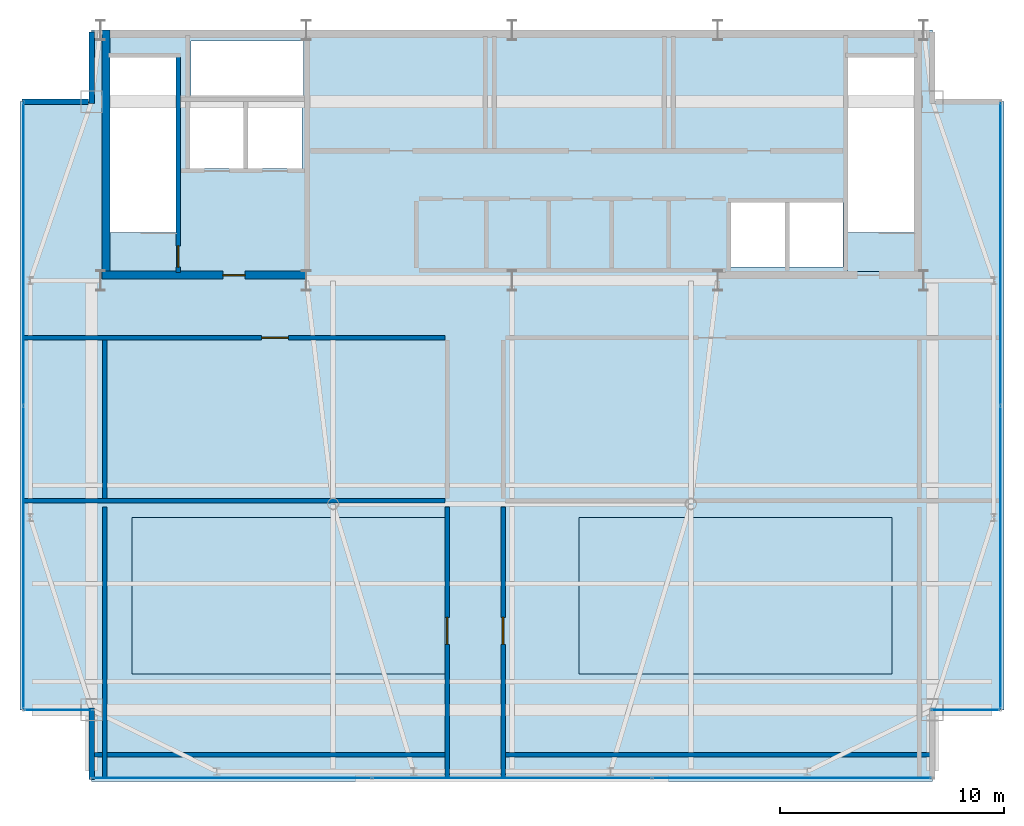
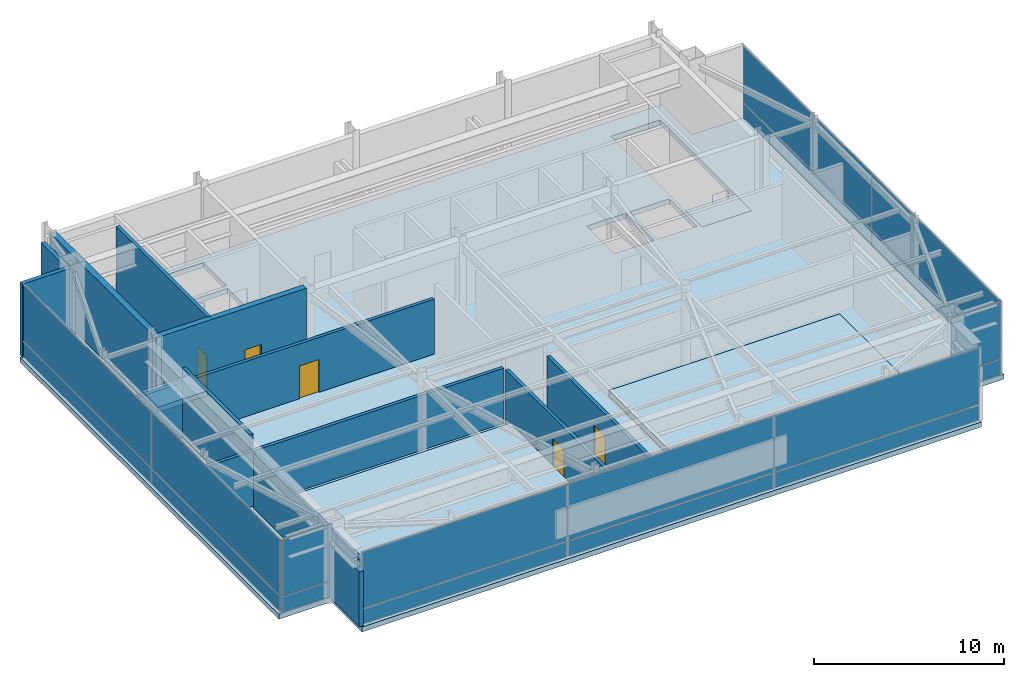
# One storey, part 18 of 20: 18 plates, 14 walls, 5 doors, 5 slabs, 5 openings, 5 elements without a shape of their own.
"""IFC4 building model written with IfcOpenShell, lengths in metres."""

import ifcopenshell
import ifcopenshell.guid

model = None  # the IFC model being written
_history = None  # IfcOwnerHistory: only IFC2X3 demands one
_inside = {}  # id of a spatial element -> (the spatial element, [elements in it])
_under = {}  # id of a project, library or spatial element -> (it, [spatial elements below it])
_declared = {}  # id of a project -> (the project, [libraries it declares])
_typed = {}  # id of a type object -> (the type object, [elements of that type])
_made_of = {}  # id of a material, layer set ... -> (it, [elements and type objects made of it])


def new_model(schema):
    """Start an empty IFC model of exactly this schema.

    Asked for "IFC4X3", IfcOpenShell would pick the latest addendum, in which some entities
    have other attributes; the version numbers below select the first issue.
    IFC2X3 requires an IfcOwnerHistory on every rooted entity: one is made here for all.
    """
    global model, _history
    if schema == "IFC4X3":
        model = ifcopenshell.file(schema_version=(4, 3, 0, 0))
    else:
        model = ifcopenshell.file(schema=schema)
    _inside.clear()
    _under.clear()
    _declared.clear()
    _typed.clear()
    _made_of.clear()
    _history = None
    if model.schema == "IFC2X3":
        org = make("IfcOrganization", Name="unknown")
        user = make(
            "IfcPersonAndOrganization",
            ThePerson=make("IfcPerson", FamilyName="unknown"),
            TheOrganization=org,
        )
        app = make(
            "IfcApplication",
            ApplicationDeveloper=org,
            Version="unknown",
            ApplicationFullName="unknown",
            ApplicationIdentifier="unknown",
        )
        _history = make(
            "IfcOwnerHistory",
            OwningUser=user,
            OwningApplication=app,
            ChangeAction="ADDED",
            CreationDate=0,
        )
    return model


def make(cls, **values):
    """One entity of the class cls with the attributes given. An attribute that is None is left unset."""
    return model.create_entity(
        cls, **{name: value for name, value in values.items() if value is not None}
    )


def rooted(cls, **values):
    """An entity with a GlobalId (a new one), such as an element, a storey or a relation."""
    return make(cls, GlobalId=ifcopenshell.guid.new(), OwnerHistory=_history, **values)


def si_unit(unit_type, name, prefix=None):
    """IfcSIUnit, for example si_unit("LENGTHUNIT", "METRE", prefix="MILLI")."""
    return make("IfcSIUnit", UnitType=unit_type, Prefix=prefix, Name=name)


def assignment(units):
    """IfcUnitAssignment: the units of a project."""
    return None if units is None else make("IfcUnitAssignment", Units=units)


def point(xyz):
    """IfcCartesianPoint."""
    return None if xyz is None else make("IfcCartesianPoint", Coordinates=xyz)


def direction(xyz):
    """IfcDirection."""
    return None if xyz is None else make("IfcDirection", DirectionRatios=xyz)


def frame(location, z_axis=None, x_axis=None):
    """IfcAxis2Placement3D, a coordinate frame: its origin and axes. An axis left out is left unset."""
    return make(
        "IfcAxis2Placement3D",
        Location=point(location),
        Axis=direction(z_axis),
        RefDirection=direction(x_axis),
    )


def frame_2d(location, x_axis=None):
    """IfcAxis2Placement2D, a coordinate frame in the plane: its origin and x axis."""
    return make(
        "IfcAxis2Placement2D", Location=point(location), RefDirection=direction(x_axis)
    )


def origin():
    """The frame at (0, 0, 0) with its axes left unset."""
    return frame((0.0, 0.0, 0.0))


def origin_2d():
    """The frame at (0, 0) in the plane with its x axis left unset."""
    return frame_2d((0.0, 0.0))


def place(relative_to, where):
    """IfcLocalPlacement: puts the frame where relative to a parent placement (None: the world)."""
    return make(
        "IfcLocalPlacement", PlacementRelTo=relative_to, RelativePlacement=where
    )


def context(
    kind, dimensions, precision=None, world=None, true_north=None, identifier=None
):
    """IfcGeometricRepresentationContext, for example the 3D "Model" context."""
    return make(
        "IfcGeometricRepresentationContext",
        ContextIdentifier=identifier,
        ContextType=kind,
        CoordinateSpaceDimension=dimensions,
        Precision=precision,
        WorldCoordinateSystem=world,
        TrueNorth=true_north,
    )


def subcontext(parent, identifier, kind, view, scale=None):
    """IfcGeometricRepresentationSubContext, for example "Body" below "Model"."""
    return make(
        "IfcGeometricRepresentationSubContext",
        ContextIdentifier=identifier,
        ContextType=kind,
        ParentContext=parent,
        TargetScale=scale,
        TargetView=view,
    )


def project(units=None, contexts=None):
    """IfcProject with its units and contexts."""
    return rooted(
        "IfcProject",
        Name="project",
        RepresentationContexts=contexts,
        UnitsInContext=assignment(units),
    )


def spatial(cls, under=None, at=None, **own):
    """A site, building, storey or space (cls), placed at a placement, below another one or the project."""
    s = rooted(cls, ObjectPlacement=at, **own)
    if under is not None:
        _under.setdefault(under.id(), (under, []))[1].append(s)
    return s


def polyline(points):
    """IfcPolyline through the points."""
    return make("IfcPolyline", Points=[point(p) for p in points])


def profile(cls, at=None, kind="AREA", **sizes):
    """A parametric profile (cls). Its sizes go by their IFC names, for example OverallWidth=200.0."""
    return make(cls, ProfileType=kind, Position=at, **sizes)


def rectangle(**sizes):
    """IfcRectangleProfileDef."""
    return profile("IfcRectangleProfileDef", **sizes)


def outline(outer, holes=None, kind="AREA"):
    """IfcArbitraryClosedProfileDef: a profile drawn as a closed curve; with holes, ...WithVoids."""
    if holes is None:
        return make("IfcArbitraryClosedProfileDef", ProfileType=kind, OuterCurve=outer)
    return make(
        "IfcArbitraryProfileDefWithVoids",
        ProfileType=kind,
        OuterCurve=outer,
        InnerCurves=holes,
    )


def extrude(swept, where, along, depth):
    """IfcExtrudedAreaSolid: the profile swept, set in the frame where, extruded along a direction by depth."""
    return make(
        "IfcExtrudedAreaSolid",
        SweptArea=swept,
        Position=where,
        ExtrudedDirection=direction(along),
        Depth=depth,
    )


def shape(context_of_items, identifier, shape_type, items):
    """IfcShapeRepresentation: the items that make up one representation, for example the "Body"."""
    return make(
        "IfcShapeRepresentation",
        ContextOfItems=context_of_items,
        RepresentationIdentifier=identifier,
        RepresentationType=shape_type,
        Items=items,
    )


def source(mapping_origin, context_of_items, identifier, shape_type, items):
    """IfcRepresentationMap: a shape defined once, which mapped items show again and again."""
    return make(
        "IfcRepresentationMap",
        MappingOrigin=mapping_origin,
        MappedRepresentation=shape(context_of_items, identifier, shape_type, items),
    )


def transform(
    local_origin,
    x_axis=None,
    y_axis=None,
    z_axis=None,
    scale=None,
    scale2=None,
    scale3=None,
    uniform=True,
):
    """IfcCartesianTransformationOperator3D, or its non-uniform kind. x_axis, y_axis, z_axis: its Axis1, 2, 3."""
    if uniform:
        return make(
            "IfcCartesianTransformationOperator3D",
            Axis1=direction(x_axis),
            Axis2=direction(y_axis),
            LocalOrigin=point(local_origin),
            Scale=scale,
            Axis3=direction(z_axis),
        )
    return make(
        "IfcCartesianTransformationOperator3DnonUniform",
        Axis1=direction(x_axis),
        Axis2=direction(y_axis),
        LocalOrigin=point(local_origin),
        Scale=scale,
        Axis3=direction(z_axis),
        Scale2=scale2,
        Scale3=scale3,
    )


def mapped(mapping_source, mapping_target):
    """IfcMappedItem: shows the shape of a source again, moved by a transform."""
    return make(
        "IfcMappedItem", MappingSource=mapping_source, MappingTarget=mapping_target
    )


def material(Name=None, Category=None):
    """IfcMaterial."""
    return make("IfcMaterial", Name=Name, Category=Category)


def layer(
    of_material, thickness, ventilated=None, Name=None, Category=None, Priority=None
):
    """IfcMaterialLayer: one layer of a wall or slab, of a material (None: an air gap)."""
    return make(
        "IfcMaterialLayer",
        Material=of_material,
        LayerThickness=thickness,
        IsVentilated=ventilated,
        Name=Name,
        Category=Category,
        Priority=Priority,
    )


def layer_set(layers, Name=None):
    """IfcMaterialLayerSet."""
    return make("IfcMaterialLayerSet", MaterialLayers=layers, LayerSetName=Name)


def made_of(thing, what):
    """Note that an element or type object is made of a material, layer set ...; save() writes the relation."""
    if what is not None:
        _made_of.setdefault(what.id(), (what, []))[1].append(thing)
    return thing


def type_object(cls, material=None, **own):
    """A type object (cls), such as IfcWallType, which elements share."""
    return made_of(rooted(cls, **own), material)


def type_shapes(of_type, sources):
    """Give a type object the sources (RepresentationMaps) that its elements show as mapped items."""
    of_type.RepresentationMaps = sources


def element(
    cls,
    number,
    at=None,
    inside=None,
    cuts=None,
    type_object=None,
    material=None,
    context=None,
    identifier="Body",
    shape_type=None,
    held_by="IfcProductDefinitionShape",
    body=None,
    shapes=None,
    **own,
):
    """One element of the class cls, such as IfcWall. Its Tag is "e" and its number.

    at: its placement. inside: the storey or other place that contains it. cuts: it is an
    opening in that element (IfcRelVoidsElement). A single representation is given by context,
    identifier, shape_type and body (its items); several are given by shapes. held_by: the class
    of the entity that holds the representations. save() writes the other relations.
    """
    e = rooted(cls, Tag="e%d" % number, ObjectPlacement=at, **own)
    if body is not None:
        shapes = [shape(context, identifier, shape_type, body)]
    if shapes is not None:
        e.Representation = make(held_by, Representations=shapes)
    if inside is not None:
        _inside.setdefault(inside.id(), (inside, []))[1].append(e)
    if cuts is not None:
        rooted(
            "IfcRelVoidsElement", RelatingBuildingElement=cuts, RelatedOpeningElement=e
        )
    if type_object is not None:
        _typed.setdefault(type_object.id(), (type_object, []))[1].append(e)
    return made_of(e, material)


def fill(opening, filler):
    """IfcRelFillsElement: the door or window that sits in an opening."""
    return rooted(
        "IfcRelFillsElement",
        RelatingOpeningElement=opening,
        RelatedBuildingElement=filler,
    )


def aggregate(whole, parts):
    """IfcRelAggregates: a whole, such as a stair, and the parts it consists of."""
    return rooted("IfcRelAggregates", RelatingObject=whole, RelatedObjects=parts)


def save(model, path):
    """Write the relations noted so far, then the file.

    IfcRelAggregates (storeys below a building ...), IfcRelContainedInSpatialStructure (elements
    in a storey), IfcRelDefinesByType, IfcRelAssociatesMaterial and IfcRelDeclares: one each for
    every whole, place, type object, material and project.
    """
    for whole, parts in _under.values():
        aggregate(whole, parts)
    for where, things in _inside.values():
        rooted(
            "IfcRelContainedInSpatialStructure",
            RelatedElements=things,
            RelatingStructure=where,
        )
    for kind, things in _typed.values():
        rooted("IfcRelDefinesByType", RelatedObjects=things, RelatingType=kind)
    for what, things in _made_of.values():
        rooted("IfcRelAssociatesMaterial", RelatedObjects=things, RelatingMaterial=what)
    for by, libraries in _declared.values():
        rooted("IfcRelDeclares", RelatingContext=by, RelatedDefinitions=libraries)
    model.write(path)


model = new_model("IFC4")

# Units and contexts
model_context = context("Model", 3, precision=1e-05, world=origin(), true_north=direction((0.0, 1.0)))
body_context = subcontext(model_context, "Body", "Model", "MODEL_VIEW")
ifc_project = project(units=[si_unit("LENGTHUNIT", "METRE"), si_unit("AREAUNIT", "SQUARE_METRE"), si_unit("VOLUMEUNIT", "CUBIC_METRE"), si_unit("PLANEANGLEUNIT", "RADIAN"), si_unit("MASSUNIT", "GRAM", prefix="KILO")], contexts=[model_context])

# Site, building, storey
site_placement = place(None, origin())
site = spatial("IfcSite", under=ifc_project, at=site_placement, CompositionType="ELEMENT")
building_placement = place(site_placement, origin())
building = spatial("IfcBuilding", under=site, at=building_placement, Name="Varnel Quay Broadcast Tower", CompositionType="ELEMENT")
storey_placement = place(building_placement, frame((0.0, 0.0, 314.60009765625)))
storey = spatial("IfcBuildingStorey", under=building, at=storey_placement, Name="L78", CompositionType="ELEMENT", Elevation=314.60009765625)

# Slabs
ifc_material_1 = material(Name="Concrete CSA A23.3 C50/60", Category="concrete")
ifc_layer_1 = layer(ifc_material_1, 0.320068359375, Name="Concrete CSA A23.3 C50/60")
ifc_layer_set_1 = layer_set([ifc_layer_1], Name="Concrete CSA A23.3 C50/60")
slab_type_1 = type_object("IfcSlabType", Name="Slab_Floor320", PredefinedType="FLOOR", material=ifc_layer_set_1)
slab_1_placement = place(storey_placement, frame((0.0, 0.0, -0.320068359375)))
element("IfcSlab", 1, at=slab_1_placement, inside=storey, type_object=slab_type_1, Name="L78 Structural Slab", PredefinedType="FLOOR", context=body_context, shape_type="SweptSolid", body=[
    extrude(outline(polyline([(15.199951171875, 13.199951171875), (52.800048828125, 13.199951171875), (52.800048828125, 16.39990234375), (56.0, 16.39990234375), (56.0, 43.60009765625), (52.800048828125, 43.60009765625), (52.800048828125, 46.800048828125), (15.199951171875, 46.800048828125), (15.199951171875, 43.60009765625), (12.0, 43.60009765625), (12.0, 16.39990234375), (15.199951171875, 16.39990234375), (15.199951171875, 13.199951171875)]), holes=[polyline([(46.199951171875, 36.199951171875), (43.800048828125, 36.199951171875), (43.800048828125, 39.10009765625), (46.199951171875, 39.10009765625), (46.199951171875, 36.199951171875)]), polyline([(46.39990234375, 36.199951171875), (46.39990234375, 39.10009765625), (48.800048828125, 39.10009765625), (48.800048828125, 36.199951171875), (46.39990234375, 36.199951171875)]), polyline([(19.0, 36.0), (16.0, 36.0), (16.0, 45.60009765625), (19.0, 45.60009765625), (19.0, 36.0)]), polyline([(52.0, 36.0), (49.0, 36.0), (49.0, 45.60009765625), (52.0, 45.60009765625), (52.0, 36.0)]), polyline([(19.60009765625, 40.60009765625), (19.60009765625, 43.60009765625), (22.0, 43.60009765625), (22.0, 40.60009765625), (19.60009765625, 40.60009765625)]), polyline([(22.199951171875, 40.60009765625), (22.199951171875, 43.60009765625), (24.60009765625, 43.60009765625), (24.60009765625, 40.60009765625), (22.199951171875, 40.60009765625)]), polyline([(19.64990234375, 43.85009765625), (19.64990234375, 46.300048828125), (24.679931640625, 46.300048828125), (24.679931640625, 43.85009765625), (19.64990234375, 43.85009765625)])]), origin(), (0.0, 0.0, 1.0), 0.320068359375),
])
ifc_layer_2 = layer(ifc_material_1, 0.39990234375, Name="Concrete CSA A23.3 C50/60")
ifc_layer_set_2 = layer_set([ifc_layer_2], Name="Concrete CSA A23.3 C50/60")
slab_type_2 = type_object("IfcSlabType", Name="Slab_Plinth400", PredefinedType="FLOOR", material=ifc_layer_set_2)
slab_2_placement = place(storey_placement, origin())
element("IfcSlab", 2, at=slab_2_placement, inside=storey, type_object=slab_type_2, Name="Crown Broadcast Transmitter Array Plinth", PredefinedType="FLOOR", context=body_context, shape_type="SweptSolid", body=[
    extrude(outline(polyline([(17.0, 18.0), (31.0, 18.0), (31.0, 25.0), (17.0, 25.0), (17.0, 18.0)])), origin(), (0.0, 0.0, 1.0), 0.39990234375),
])
slab_3_placement = place(storey_placement, origin())
element("IfcSlab", 3, at=slab_3_placement, inside=storey, type_object=slab_type_2, Name="Crown Heat-Recovery Chiller Plinth", PredefinedType="FLOOR", context=body_context, shape_type="SweptSolid", body=[
    extrude(outline(polyline([(37.0, 18.0), (51.0, 18.0), (51.0, 25.0), (37.0, 25.0), (37.0, 18.0)])), origin(), (0.0, 0.0, 1.0), 0.39990234375),
])
ifc_layer_3 = layer(ifc_material_1, 0.25, Name="Concrete CSA A23.3 C50/60")
ifc_layer_set_3 = layer_set([ifc_layer_3], Name="Concrete CSA A23.3 C50/60")
slab_type_3 = type_object("IfcSlabType", Name="Slab_StairFloorLanding250", PredefinedType="FLOOR", material=ifc_layer_set_3)
slab_4_placement = place(storey_placement, frame((0.0, 0.0, -0.320068359375)))
element("IfcSlab", 4, at=slab_4_placement, inside=storey, type_object=slab_type_3, Name="L78 ST-01 Structural Floor Landing Slab", PredefinedType="FLOOR", context=body_context, shape_type="SweptSolid", body=[
    extrude(outline(polyline([(19.0, 36.0), (19.0, 37.75), (16.0, 37.75), (16.0, 36.0), (19.0, 36.0)])), origin(), (0.0, 0.0, 1.0), 0.320068359375),
])
slab_5_placement = place(storey_placement, frame((0.0, 0.0, -0.320068359375)))
element("IfcSlab", 5, at=slab_5_placement, inside=storey, type_object=slab_type_3, Name="L78 ST-02 Structural Floor Landing Slab", PredefinedType="FLOOR", context=body_context, shape_type="SweptSolid", body=[
    extrude(outline(polyline([(52.0, 36.0), (52.0, 37.75), (49.0, 37.75), (49.0, 36.0), (52.0, 36.0)])), origin(), (0.0, 0.0, 1.0), 0.320068359375),
])

# Curtain wall, plate
ifc_material_2 = material(Name="Anodised Bronze Aluminium 6063-T6", Category="aluminium")
ifc_layer_4 = layer(ifc_material_2, 0.18994140625, Name="Anodised Bronze Aluminium 6063-T6")
ifc_layer_set_4 = layer_set([ifc_layer_4], Name="Anodised Bronze Aluminium 6063-T6")
curtain_wall_type_1 = type_object("IfcCurtainWallType", Name="CW_NotchCorner", PredefinedType="NOTDEFINED", material=ifc_layer_set_4)
curtain_wall_1_placement = place(storey_placement, origin())
curtain_wall_1 = element("IfcCurtainWall", 6, at=curtain_wall_1_placement, inside=storey, type_object=curtain_wall_type_1, Name="L78 SW Notch Curtain Wall", PredefinedType="NOTDEFINED")
ifc_material_3 = material(Name="Triple-Glazed Bronze Low-E Architectural Glass", Category="glass")
ifc_layer_5 = layer(ifc_material_3, 0.028076171875, Name="Triple-Glazed Bronze Low-E Architectural Glass")
ifc_layer_set_5 = layer_set([ifc_layer_5], Name="Triple-Glazed Bronze Low-E Architectural Glass")
plate_type_1 = type_object("IfcPlateType", Name="Panel_CWS-04", PredefinedType="CURTAIN_PANEL", material=ifc_layer_set_5)
shared_shape_1 = source(origin(), body_context, "Body", "SweptSolid", [
    extrude(rectangle(XDim=3.010009765625, YDim=0.028076171875, at=origin_2d()), origin(), (0.0, 0.0, 1.0), 0.967529296875),
])
plate_1_placement = place(storey_placement, frame((13.715087890625, 16.39990234375, 0.0546875), z_axis=(0.0, 0.0, 1.0), x_axis=(1.0, 0.0, 0.0)))
plate_1 = element("IfcPlate", 7, at=plate_1_placement, type_object=plate_type_1, Name="CWS-04 panel 1.1", PredefinedType="CURTAIN_PANEL", context=body_context, shape_type="MappedRepresentation", body=[
    mapped(shared_shape_1, transform((0.0, 0.0, 0.0), x_axis=(1.0, 0.0, 0.0), y_axis=(0.0, 1.0, 0.0), z_axis=(0.0, 0.0, 1.0), scale=1.0)),
])

curtain_wall_2_placement = place(storey_placement, origin())
curtain_wall_2 = element("IfcCurtainWall", 8, at=curtain_wall_2_placement, inside=storey, type_object=curtain_wall_type_1, Name="L78 SE Notch Curtain Wall", PredefinedType="NOTDEFINED")
plate_2_placement = place(storey_placement, frame((54.284912109375, 16.39990234375, 0.0546875), z_axis=(0.0, 0.0, 1.0), x_axis=(1.0, 0.0, 0.0)))
plate_2 = element("IfcPlate", 9, at=plate_2_placement, type_object=plate_type_1, Name="CWS-04 panel 1.1", PredefinedType="CURTAIN_PANEL", context=body_context, shape_type="MappedRepresentation", body=[
    mapped(shared_shape_1, transform((0.0, 0.0, 0.0), x_axis=(1.0, 0.0, 0.0), y_axis=(0.0, 1.0, 0.0), z_axis=(0.0, 0.0, 1.0), scale=1.0)),
])

# Curtain wall, plates
ifc_layer_6 = layer(ifc_material_2, 0.18994140625, Name="Anodised Bronze Aluminium 6063-T6")
ifc_layer_set_6 = layer_set([ifc_layer_6], Name="Anodised Bronze Aluminium 6063-T6")
curtain_wall_type_2 = type_object("IfcCurtainWallType", Name="CW_UpperTower", PredefinedType="NOTDEFINED", material=ifc_layer_set_6)
curtain_wall_3_placement = place(storey_placement, origin())
curtain_wall_3 = element("IfcCurtainWall", 10, at=curtain_wall_3_placement, inside=storey, type_object=curtain_wall_type_2, Name="L78 South Unitised Curtain Wall 1", PredefinedType="NOTDEFINED")
ifc_layer_7 = layer(ifc_material_3, 0.030029296875, Name="Triple-Glazed Bronze Low-E Architectural Glass")
ifc_layer_set_7 = layer_set([ifc_layer_7], Name="Triple-Glazed Bronze Low-E Architectural Glass")
plate_type_2 = type_object("IfcPlateType", Name="Panel_CWS-03", PredefinedType="CURTAIN_PANEL", material=ifc_layer_set_7)
shared_shape_2 = source(origin(), body_context, "Body", "SweptSolid", [
    extrude(rectangle(XDim=12.435791015625, YDim=0.030029296875, at=origin_2d()), origin(), (0.0, 0.0, 1.0), 0.9599609375),
])
plate_3_placement = place(storey_placement, frame((21.48291015625, 13.35009765625, 0.059814453125), z_axis=(0.0, 0.0, 1.0), x_axis=(1.0, 0.0, 0.0)))
plate_3 = element("IfcPlate", 11, at=plate_3_placement, type_object=plate_type_2, Name="CWS-03 panel 1.1", PredefinedType="CURTAIN_PANEL", context=body_context, shape_type="MappedRepresentation", body=[
    mapped(shared_shape_2, transform((0.0, 0.0, 0.0), x_axis=(1.0, 0.0, 0.0), y_axis=(0.0, 1.0, 0.0), z_axis=(0.0, 0.0, 1.0), scale=1.0)),
])
plate_4_placement = place(storey_placement, frame((46.51708984375, 13.35009765625, 0.059814453125), z_axis=(0.0, 0.0, 1.0), x_axis=(1.0, 0.0, 0.0)))
plate_4 = element("IfcPlate", 12, at=plate_4_placement, type_object=plate_type_2, Name="CWS-03 panel 3.1", PredefinedType="CURTAIN_PANEL", context=body_context, shape_type="MappedRepresentation", body=[
    mapped(shared_shape_2, transform((0.0, 0.0, 0.0), x_axis=(1.0, 0.0, 0.0), y_axis=(0.0, 1.0, 0.0), z_axis=(0.0, 0.0, 1.0), scale=1.0)),
])
shared_shape_3 = source(origin(), body_context, "Body", "SweptSolid", [
    extrude(rectangle(XDim=12.435791015625, YDim=0.030029296875, at=origin_2d()), origin(), (0.0, 0.0, 1.0), 3.610107421875),
])
plate_5_placement = place(storey_placement, frame((21.48291015625, 13.35009765625, 1.080078125), z_axis=(0.0, 0.0, 1.0), x_axis=(1.0, 0.0, 0.0)))
plate_5 = element("IfcPlate", 13, at=plate_5_placement, type_object=plate_type_2, Name="CWS-03 panel 1.2", PredefinedType="CURTAIN_PANEL", context=body_context, shape_type="MappedRepresentation", body=[
    mapped(shared_shape_3, transform((0.0, 0.0, 0.0), x_axis=(1.0, 0.0, 0.0), y_axis=(0.0, 1.0, 0.0), z_axis=(0.0, 0.0, 1.0), scale=1.0)),
])
plate_6_placement = place(storey_placement, frame((46.51708984375, 13.35009765625, 1.080078125), z_axis=(0.0, 0.0, 1.0), x_axis=(1.0, 0.0, 0.0)))
plate_6 = element("IfcPlate", 14, at=plate_6_placement, type_object=plate_type_2, Name="CWS-03 panel 3.2", PredefinedType="CURTAIN_PANEL", context=body_context, shape_type="MappedRepresentation", body=[
    mapped(shared_shape_3, transform((0.0, 0.0, 0.0), x_axis=(1.0, 0.0, 0.0), y_axis=(0.0, 1.0, 0.0), z_axis=(0.0, 0.0, 1.0), scale=1.0)),
])
shared_shape_4 = source(origin(), body_context, "Body", "SweptSolid", [
    extrude(rectangle(XDim=12.46826171875, YDim=0.030029296875, at=origin_2d()), origin(), (0.0, 0.0, 1.0), 0.9599609375),
])
plate_7_placement = place(storey_placement, frame((34.0, 13.35009765625, 0.059814453125), z_axis=(0.0, 0.0, 1.0), x_axis=(1.0, 0.0, 0.0)))
plate_7 = element("IfcPlate", 15, at=plate_7_placement, type_object=plate_type_2, Name="CWS-03 panel 2.1", PredefinedType="CURTAIN_PANEL", context=body_context, shape_type="MappedRepresentation", body=[
    mapped(shared_shape_4, transform((0.0, 0.0, 0.0), x_axis=(1.0, 0.0, 0.0), y_axis=(0.0, 1.0, 0.0), z_axis=(0.0, 0.0, 1.0), scale=1.0)),
])
shared_shape_5 = source(origin(), body_context, "Body", "SweptSolid", [
    extrude(rectangle(XDim=12.46826171875, YDim=0.030029296875, at=origin_2d()), origin(), (0.0, 0.0, 1.0), 3.610107421875),
])
plate_8_placement = place(storey_placement, frame((34.0, 13.35009765625, 1.080078125), z_axis=(0.0, 0.0, 1.0), x_axis=(1.0, 0.0, 0.0)))
plate_8 = element("IfcPlate", 16, at=plate_8_placement, type_object=plate_type_2, Name="CWS-03 panel 2.2", PredefinedType="CURTAIN_PANEL", context=body_context, shape_type="MappedRepresentation", body=[
    mapped(shared_shape_5, transform((0.0, 0.0, 0.0), x_axis=(1.0, 0.0, 0.0), y_axis=(0.0, 1.0, 0.0), z_axis=(0.0, 0.0, 1.0), scale=1.0)),
])
aggregate(curtain_wall_3, [plate_3, plate_5, plate_7, plate_8, plate_4, plate_6])

curtain_wall_4_placement = place(storey_placement, origin())
curtain_wall_4 = element("IfcCurtainWall", 17, at=curtain_wall_4_placement, inside=storey, type_object=curtain_wall_type_2, Name="L78 West Unitised Curtain Wall", PredefinedType="NOTDEFINED")
shared_shape_6 = source(origin(), body_context, "Body", "SweptSolid", [
    extrude(rectangle(XDim=13.50244140625, YDim=0.030029296875, at=origin_2d()), origin(), (0.0, 0.0, 1.0), 0.9599609375),
])
plate_9_placement = place(storey_placement, frame((12.14990234375, 23.21630859375, 0.059814453125), z_axis=(0.0, 0.0, 1.0), x_axis=(0.0, 1.0, 0.0)))
plate_9 = element("IfcPlate", 18, at=plate_9_placement, type_object=plate_type_2, Name="CWS-03 panel 1.1", PredefinedType="CURTAIN_PANEL", context=body_context, shape_type="MappedRepresentation", body=[
    mapped(shared_shape_6, transform((0.0, 0.0, 0.0), x_axis=(1.0, 0.0, 0.0), y_axis=(0.0, 1.0, 0.0), z_axis=(0.0, 0.0, 1.0), scale=1.0)),
])
plate_10_placement = place(storey_placement, frame((12.14990234375, 36.78369140625, 0.059814453125), z_axis=(0.0, 0.0, 1.0), x_axis=(0.0, 1.0, 0.0)))
plate_10 = element("IfcPlate", 19, at=plate_10_placement, type_object=plate_type_2, Name="CWS-03 panel 2.1", PredefinedType="CURTAIN_PANEL", context=body_context, shape_type="MappedRepresentation", body=[
    mapped(shared_shape_6, transform((0.0, 0.0, 0.0), x_axis=(1.0, 0.0, 0.0), y_axis=(0.0, 1.0, 0.0), z_axis=(0.0, 0.0, 1.0), scale=1.0)),
])

curtain_wall_5_placement = place(storey_placement, origin())
curtain_wall_5 = element("IfcCurtainWall", 20, at=curtain_wall_5_placement, inside=storey, type_object=curtain_wall_type_2, Name="L78 East Unitised Curtain Wall", PredefinedType="NOTDEFINED")
plate_11_placement = place(storey_placement, frame((55.85009765625, 23.21630859375, 0.059814453125), z_axis=(0.0, 0.0, 1.0), x_axis=(0.0, 1.0, 0.0)))
plate_11 = element("IfcPlate", 21, at=plate_11_placement, type_object=plate_type_2, Name="CWS-03 panel 1.1", PredefinedType="CURTAIN_PANEL", context=body_context, shape_type="MappedRepresentation", body=[
    mapped(shared_shape_6, transform((0.0, 0.0, 0.0), x_axis=(1.0, 0.0, 0.0), y_axis=(0.0, 1.0, 0.0), z_axis=(0.0, 0.0, 1.0), scale=1.0)),
])
plate_12_placement = place(storey_placement, frame((55.85009765625, 36.78369140625, 0.059814453125), z_axis=(0.0, 0.0, 1.0), x_axis=(0.0, 1.0, 0.0)))
plate_12 = element("IfcPlate", 22, at=plate_12_placement, type_object=plate_type_2, Name="CWS-03 panel 2.1", PredefinedType="CURTAIN_PANEL", context=body_context, shape_type="MappedRepresentation", body=[
    mapped(shared_shape_6, transform((0.0, 0.0, 0.0), x_axis=(1.0, 0.0, 0.0), y_axis=(0.0, 1.0, 0.0), z_axis=(0.0, 0.0, 1.0), scale=1.0)),
])

# Plate
shared_shape_7 = source(origin(), body_context, "Body", "SweptSolid", [
    extrude(rectangle(XDim=13.50244140625, YDim=0.030029296875, at=origin_2d()), origin(), (0.0, 0.0, 1.0), 3.610107421875),
])
type_shapes(plate_type_2, [shared_shape_2, shared_shape_3, shared_shape_4, shared_shape_5, shared_shape_6, shared_shape_7])
plate_13_placement = place(storey_placement, frame((12.14990234375, 23.21630859375, 1.080078125), z_axis=(0.0, 0.0, 1.0), x_axis=(0.0, 1.0, 0.0)))
plate_13 = element("IfcPlate", 23, at=plate_13_placement, type_object=plate_type_2, Name="CWS-03 panel 1.2", PredefinedType="CURTAIN_PANEL", context=body_context, shape_type="MappedRepresentation", body=[
    mapped(shared_shape_7, transform((0.0, 0.0, 0.0), x_axis=(1.0, 0.0, 0.0), y_axis=(0.0, 1.0, 0.0), z_axis=(0.0, 0.0, 1.0), scale=1.0)),
])

plate_14_placement = place(storey_placement, frame((12.14990234375, 36.78369140625, 1.080078125), z_axis=(0.0, 0.0, 1.0), x_axis=(0.0, 1.0, 0.0)))
plate_14 = element("IfcPlate", 24, at=plate_14_placement, type_object=plate_type_2, Name="CWS-03 panel 2.2", PredefinedType="CURTAIN_PANEL", context=body_context, shape_type="MappedRepresentation", body=[
    mapped(shared_shape_7, transform((0.0, 0.0, 0.0), x_axis=(1.0, 0.0, 0.0), y_axis=(0.0, 1.0, 0.0), z_axis=(0.0, 0.0, 1.0), scale=1.0)),
])

aggregate(curtain_wall_4, [plate_9, plate_13, plate_10, plate_14])

plate_15_placement = place(storey_placement, frame((55.85009765625, 23.21630859375, 1.080078125), z_axis=(0.0, 0.0, 1.0), x_axis=(0.0, 1.0, 0.0)))
plate_15 = element("IfcPlate", 25, at=plate_15_placement, type_object=plate_type_2, Name="CWS-03 panel 1.2", PredefinedType="CURTAIN_PANEL", context=body_context, shape_type="MappedRepresentation", body=[
    mapped(shared_shape_7, transform((0.0, 0.0, 0.0), x_axis=(1.0, 0.0, 0.0), y_axis=(0.0, 1.0, 0.0), z_axis=(0.0, 0.0, 1.0), scale=1.0)),
])

plate_16_placement = place(storey_placement, frame((55.85009765625, 36.78369140625, 1.080078125), z_axis=(0.0, 0.0, 1.0), x_axis=(0.0, 1.0, 0.0)))
plate_16 = element("IfcPlate", 26, at=plate_16_placement, type_object=plate_type_2, Name="CWS-03 panel 2.2", PredefinedType="CURTAIN_PANEL", context=body_context, shape_type="MappedRepresentation", body=[
    mapped(shared_shape_7, transform((0.0, 0.0, 0.0), x_axis=(1.0, 0.0, 0.0), y_axis=(0.0, 1.0, 0.0), z_axis=(0.0, 0.0, 1.0), scale=1.0)),
])

aggregate(curtain_wall_5, [plate_11, plate_15, plate_12, plate_16])

shared_shape_8 = source(origin(), body_context, "Body", "SweptSolid", [
    extrude(rectangle(XDim=3.010009765625, YDim=0.028076171875, at=origin_2d()), origin(), (0.0, 0.0, 1.0), 3.617431640625),
])
type_shapes(plate_type_1, [shared_shape_1, shared_shape_8])
plate_17_placement = place(storey_placement, frame((13.715087890625, 16.39990234375, 1.07763671875), z_axis=(0.0, 0.0, 1.0), x_axis=(1.0, 0.0, 0.0)))
plate_17 = element("IfcPlate", 27, at=plate_17_placement, type_object=plate_type_1, Name="CWS-04 panel 1.2", PredefinedType="CURTAIN_PANEL", context=body_context, shape_type="MappedRepresentation", body=[
    mapped(shared_shape_8, transform((0.0, 0.0, 0.0), x_axis=(1.0, 0.0, 0.0), y_axis=(0.0, 1.0, 0.0), z_axis=(0.0, 0.0, 1.0), scale=1.0)),
])

aggregate(curtain_wall_1, [plate_1, plate_17])

plate_18_placement = place(storey_placement, frame((54.284912109375, 16.39990234375, 1.07763671875), z_axis=(0.0, 0.0, 1.0), x_axis=(1.0, 0.0, 0.0)))
plate_18 = element("IfcPlate", 28, at=plate_18_placement, type_object=plate_type_1, Name="CWS-04 panel 1.2", PredefinedType="CURTAIN_PANEL", context=body_context, shape_type="MappedRepresentation", body=[
    mapped(shared_shape_8, transform((0.0, 0.0, 0.0), x_axis=(1.0, 0.0, 0.0), y_axis=(0.0, 1.0, 0.0), z_axis=(0.0, 0.0, 1.0), scale=1.0)),
])

aggregate(curtain_wall_2, [plate_2, plate_18])

# Wall, opening, door
ifc_layer_8 = layer(ifc_material_1, 0.199951171875, Name="Concrete CSA A23.3 C50/60")
ifc_layer_set_8 = layer_set([ifc_layer_8], Name="Concrete CSA A23.3 C50/60")
wall_type_1 = type_object("IfcWallType", Name="Wall_CoreShaftShear200", PredefinedType="SHEAR", material=ifc_layer_set_8)
wall_1_placement = place(storey_placement, frame((19.080078125, 35.949951171875, 0.0), z_axis=(0.0, 0.0, 1.0), x_axis=(0.0, 1.0, 0.0)))
wall_1 = element("IfcWall", 29, at=wall_1_placement, inside=storey, type_object=wall_type_1, Name="L78 Stair 1 East Structural Wall", PredefinedType="SHEAR", context=body_context, shape_type="SweptSolid", body=[
    extrude(rectangle(XDim=9.650146484375, YDim=0.199951171875, at=frame_2d((4.8251953125, 0.0))), origin(), (0.0, 0.0, 1.0), 4.75),
])
opening_1_placement = place(wall_1_placement, frame((0.25, 0.0, 0.0)))
opening_1 = element("IfcOpeningElement", 30, at=opening_1_placement, cuts=wall_1, Name="Opening D-L78-S1", PredefinedType="OPENING", context=body_context, shape_type="SweptSolid", body=[
    extrude(rectangle(XDim=0.949951171875, YDim=2.10009765625, at=frame_2d((0.47509765625, 1.050048828125))), frame((0.0, 0.10986328125, 0.0), z_axis=(0.0, -1.0, 0.0), x_axis=(1.0, 0.0, 0.0)), (0.0, 0.0, 1.0), 0.219970703125),
])
ifc_material_4 = material(Name="Insulated Fire-Rated Hollow Steel Door", Category="steel")
door_type_1 = type_object("IfcDoorType", Name="Door_FireStair950", OperationType="NOTDEFINED", PredefinedType="DOOR", material=ifc_material_4)
shared_shape_9 = source(origin(), body_context, "Body", "SweptSolid", [
    extrude(rectangle(XDim=0.949951171875, YDim=2.10009765625, at=frame_2d((0.47509765625, 1.050048828125))), frame((0.0, 0.02490234375, 0.0), z_axis=(0.0, -1.0, 0.0), x_axis=(1.0, 0.0, 0.0)), (0.0, 0.0, 1.0), 0.050048828125),
])
type_shapes(door_type_1, [shared_shape_9])
door_1_placement = place(opening_1_placement, origin())
door_1 = element("IfcDoor", 31, at=door_1_placement, inside=storey, type_object=door_type_1, Name="L78 Stair 1 Fire Door", OperationType="SINGLE_SWING_RIGHT", OverallHeight=2.10009765625, OverallWidth=0.949951171875, PredefinedType="DOOR", context=body_context, shape_type="MappedRepresentation", body=[
    mapped(shared_shape_9, transform((0.0, 0.0, 0.0), x_axis=(1.0, 0.0, 0.0), y_axis=(0.0, 1.0, 0.0), z_axis=(0.0, 0.0, 1.0), scale=1.0)),
])
fill(opening_1, door_1)

# Wall
ifc_layer_9 = layer(ifc_material_1, 0.35009765625, Name="Concrete CSA A23.3 C50/60")
ifc_layer_set_9 = layer_set([ifc_layer_9], Name="Concrete CSA A23.3 C50/60")
wall_type_2 = type_object("IfcWallType", Name="Wall_CoreShearInt350", PredefinedType="SHEAR", material=ifc_layer_set_9)
wall_2_placement = place(storey_placement, frame((15.844970703125, 35.669921875, 0.0), z_axis=(0.0, 0.0, 1.0), x_axis=(0.0, 1.0, 0.0)))
element("IfcWall", 32, at=wall_2_placement, inside=storey, type_object=wall_type_2, Name="L78 West Core Shear Wall", PredefinedType="SHEAR", context=body_context, shape_type="SweptSolid", body=[
    extrude(rectangle(XDim=11.130126953125, YDim=0.35009765625, at=frame_2d((5.56494140625, 0.0))), origin(), (0.0, 0.0, 1.0), 4.75),
])

# Wall, opening, door
wall_3_placement = place(storey_placement, frame((15.669921875, 35.844970703125, 0.0), z_axis=(0.0, 0.0, 1.0), x_axis=(1.0, 0.0, 0.0)))
wall_3 = element("IfcWall", 33, at=wall_3_placement, inside=storey, type_object=wall_type_2, Name="L78 South-West Core Shear Wall", PredefinedType="SHEAR", context=body_context, shape_type="SweptSolid", body=[
    extrude(rectangle(XDim=9.130126953125, YDim=0.35009765625, at=frame_2d((4.56494140625, 0.0))), origin(), (0.0, 0.0, 1.0), 4.75),
])
opening_2_placement = place(wall_3_placement, frame((5.39990234375, 0.0, 0.0)))
opening_2 = element("IfcOpeningElement", 34, at=opening_2_placement, cuts=wall_3, Name="Opening D-L78-FFL", PredefinedType="OPENING", context=body_context, shape_type="SweptSolid", body=[
    extrude(rectangle(XDim=1.0, YDim=2.10009765625, at=frame_2d((0.5, 1.050048828125))), frame((0.0, 0.18505859375, 0.0), z_axis=(0.0, -1.0, 0.0), x_axis=(1.0, 0.0, 0.0)), (0.0, 0.0, 1.0), 0.3701171875),
])
door_type_2 = type_object("IfcDoorType", Name="Door_FireLobby1000", OperationType="NOTDEFINED", PredefinedType="DOOR", material=ifc_material_4)
shared_shape_10 = source(origin(), body_context, "Body", "SweptSolid", [
    extrude(rectangle(XDim=1.0, YDim=2.10009765625, at=frame_2d((0.5, 1.050048828125))), frame((0.0, 0.02490234375, 0.0), z_axis=(0.0, -1.0, 0.0), x_axis=(1.0, 0.0, 0.0)), (0.0, 0.0, 1.0), 0.050048828125),
])
type_shapes(door_type_2, [shared_shape_10])
door_2_placement = place(opening_2_placement, origin())
door_2 = element("IfcDoor", 35, at=door_2_placement, inside=storey, type_object=door_type_2, Name="L78 Firefighting Lobby Door", OperationType="SINGLE_SWING_LEFT", OverallHeight=2.10009765625, OverallWidth=1.0, PredefinedType="DOOR", context=body_context, shape_type="MappedRepresentation", body=[
    mapped(shared_shape_10, transform((0.0, 0.0, 0.0), x_axis=(1.0, 0.0, 0.0), y_axis=(0.0, 1.0, 0.0), z_axis=(0.0, 0.0, 1.0), scale=1.0)),
])
fill(opening_2, door_2)

# Walls
ifc_material_5 = material(Name="Precast Architectural Concrete C40/50", Category="concrete")
ifc_layer_10 = layer(ifc_material_5, 0.25, Name="Precast Architectural Concrete C40/50")
ifc_layer_set_10 = layer_set([ifc_layer_10], Name="Precast Architectural Concrete C40/50")
wall_type_3 = type_object("IfcWallType", Name="Wall_ExtTerrace250", PredefinedType="SOLIDWALL", material=ifc_layer_set_10)
wall_4_placement = place(storey_placement, frame((15.199951171875, 13.280029296875, 0.0), z_axis=(0.0, 0.0, 1.0), x_axis=(0.0, 1.0, 0.0)))
element("IfcWall", 36, at=wall_4_placement, inside=storey, type_object=wall_type_3, Name="L78 Mega-Column Notch Cladding Wall NSW2", PredefinedType="SOLIDWALL", context=body_context, shape_type="SweptSolid", body=[
    extrude(rectangle(XDim=3.199951171875, YDim=0.25, at=frame_2d((1.60009765625, 0.0))), origin(), (0.0, 0.0, 1.0), 3.52490234375),
])
wall_5_placement = place(storey_placement, frame((12.080078125, 43.60009765625, 0.0), z_axis=(0.0, 0.0, 1.0), x_axis=(1.0, 0.0, 0.0)))
element("IfcWall", 37, at=wall_5_placement, inside=storey, type_object=wall_type_3, Name="L78 Mega-Column Notch Cladding Wall NNW1", PredefinedType="SOLIDWALL", context=body_context, shape_type="SweptSolid", body=[
    extrude(rectangle(XDim=2.989990234375, YDim=0.25, at=frame_2d((1.4951171875, 0.0))), origin(), (0.0, 0.0, 1.0), 4.72998046875),
])
wall_6_placement = place(storey_placement, frame((15.199951171875, 43.52001953125, 0.0), z_axis=(0.0, 0.0, 1.0), x_axis=(0.0, 1.0, 0.0)))
element("IfcWall", 38, at=wall_6_placement, inside=storey, type_object=wall_type_3, Name="L78 Mega-Column Notch Cladding Wall NNW2", PredefinedType="SOLIDWALL", context=body_context, shape_type="SweptSolid", body=[
    extrude(rectangle(XDim=3.199951171875, YDim=0.25, at=frame_2d((1.60009765625, 0.0))), origin(), (0.0, 0.0, 1.0), 4.370849609375),
])
ifc_material_6 = material(Name="Concrete Blockwork Fire Enclosure C40/50", Category="masonry")
ifc_layer_11 = layer(ifc_material_6, 0.199951171875, Name="Concrete Blockwork Fire Enclosure C40/50")
ifc_layer_set_11 = layer_set([ifc_layer_11], Name="Concrete Blockwork Fire Enclosure C40/50")
wall_type_4 = type_object("IfcWallType", Name="Wall_FireShaft200", PredefinedType="SOLIDWALL", material=ifc_layer_set_11)
wall_7_placement = place(storey_placement, frame((12.179931640625, 25.75, 0.0), z_axis=(0.0, 0.0, 1.0), x_axis=(1.0, 0.0, 0.0)))
element("IfcWall", 39, at=wall_7_placement, inside=storey, type_object=wall_type_4, Name="L78 L78 West Protected Refuge Area Partition 8", PredefinedType="SOLIDWALL", context=body_context, shape_type="SweptSolid", body=[
    extrude(rectangle(XDim=18.820068359375, YDim=0.199951171875, at=frame_2d((9.41015625, 0.0))), origin(), (0.0, 0.0, 1.0), 3.52490234375),
])

# Wall, opening, door
wall_8_placement = place(storey_placement, frame((12.179931640625, 33.050048828125, 0.0), z_axis=(0.0, 0.0, 1.0), x_axis=(1.0, 0.0, 0.0)))
wall_8 = element("IfcWall", 40, at=wall_8_placement, inside=storey, type_object=wall_type_4, Name="L78 L78 West Protected Refuge Area Partition 10", PredefinedType="SOLIDWALL", context=body_context, shape_type="SweptSolid", body=[
    extrude(rectangle(XDim=18.820068359375, YDim=0.199951171875, at=frame_2d((9.41015625, 0.0))), origin(), (0.0, 0.0, 1.0), 3.52490234375),
])
opening_3_placement = place(wall_8_placement, frame((10.6201171875, 0.0, 0.0)))
opening_3 = element("IfcOpeningElement", 41, at=opening_3_placement, cuts=wall_8, Name="Opening D-L78-06", PredefinedType="OPENING", context=body_context, shape_type="SweptSolid", body=[
    extrude(rectangle(XDim=1.199951171875, YDim=2.10009765625, at=frame_2d((0.60009765625, 1.050048828125))), frame((0.0, 0.10986328125, 0.0), z_axis=(0.0, -1.0, 0.0), x_axis=(1.0, 0.0, 0.0)), (0.0, 0.0, 1.0), 0.219970703125),
])
door_type_3 = type_object("IfcDoorType", Name="Door_Plant1200", OperationType="NOTDEFINED", PredefinedType="DOOR", material=ifc_material_4)
shared_shape_11 = source(origin(), body_context, "Body", "SweptSolid", [
    extrude(rectangle(XDim=1.199951171875, YDim=2.10009765625, at=frame_2d((0.60009765625, 1.050048828125))), frame((0.0, 0.02490234375, 0.0), z_axis=(0.0, -1.0, 0.0), x_axis=(1.0, 0.0, 0.0)), (0.0, 0.0, 1.0), 0.050048828125),
])
type_shapes(door_type_3, [shared_shape_11])
door_3_placement = place(opening_3_placement, origin())
door_3 = element("IfcDoor", 42, at=door_3_placement, inside=storey, type_object=door_type_3, Name="L78 L78 West Protected Refuge Area Door D-L78-06", OperationType="SINGLE_SWING_LEFT", OverallHeight=2.10009765625, OverallWidth=1.199951171875, PredefinedType="DOOR", context=body_context, shape_type="MappedRepresentation", body=[
    mapped(shared_shape_11, transform((0.0, 0.0, 0.0), x_axis=(1.0, 0.0, 0.0), y_axis=(0.0, 1.0, 0.0), z_axis=(0.0, 0.0, 1.0), scale=1.0)),
])
fill(opening_3, door_3)

# Walls
wall_9_placement = place(storey_placement, frame((15.800048828125, 25.85009765625, 0.0), z_axis=(0.0, 0.0, 1.0), x_axis=(0.0, 1.0, 0.0)))
element("IfcWall", 43, at=wall_9_placement, inside=storey, type_object=wall_type_4, Name="L78 L78 West Protected Refuge Area Partition 11", PredefinedType="SOLIDWALL", context=body_context, shape_type="SweptSolid", body=[
    extrude(rectangle(XDim=7.099853515625, YDim=0.199951171875, at=frame_2d((3.5498046875, 0.0))), origin(), (0.0, 0.0, 1.0), 4.477783203125),
])
wall_10_placement = place(storey_placement, frame((15.320068359375, 14.39990234375, 0.0), z_axis=(0.0, 0.0, 1.0), x_axis=(1.0, 0.0, 0.0)))
element("IfcWall", 44, at=wall_10_placement, inside=storey, type_object=wall_type_4, Name="L78 L78 Crown Mechanical AHU Plant Room Partition 16", PredefinedType="SOLIDWALL", context=body_context, shape_type="SweptSolid", body=[
    extrude(rectangle(XDim=15.679931640625, YDim=0.199951171875, at=frame_2d((7.83984375, 0.0))), origin(), (0.0, 0.0, 1.0), 3.52490234375),
])

# Wall, opening, door
wall_11_placement = place(storey_placement, frame((31.10009765625, 13.3798828125, 0.0), z_axis=(0.0, 0.0, 1.0), x_axis=(0.0, 1.0, 0.0)))
wall_11 = element("IfcWall", 45, at=wall_11_placement, inside=storey, type_object=wall_type_4, Name="L78 L78 Crown Mechanical AHU Plant Room Partition 17", PredefinedType="SOLIDWALL", context=body_context, shape_type="SweptSolid", body=[
    extrude(rectangle(XDim=12.090087890625, YDim=0.199951171875, at=frame_2d((6.044921875, 0.0))), origin(), (0.0, 0.0, 1.0), 3.52490234375),
])
opening_4_placement = place(wall_11_placement, frame((5.955078125, 0.0, 0.0)))
opening_4 = element("IfcOpeningElement", 46, at=opening_4_placement, cuts=wall_11, Name="Opening D-L78-08", PredefinedType="OPENING", context=body_context, shape_type="SweptSolid", body=[
    extrude(rectangle(XDim=1.199951171875, YDim=2.10009765625, at=frame_2d((0.60009765625, 1.050048828125))), frame((0.0, 0.10986328125, 0.0), z_axis=(0.0, -1.0, 0.0), x_axis=(1.0, 0.0, 0.0)), (0.0, 0.0, 1.0), 0.219970703125),
])
door_4_placement = place(opening_4_placement, frame((1.199951171875, 0.0, 0.0), z_axis=(0.0, 0.0, 1.0), x_axis=(-1.0, 0.0, 0.0)))
door_4 = element("IfcDoor", 47, at=door_4_placement, inside=storey, type_object=door_type_3, Name="L78 L78 Crown Mechanical AHU Plant Room Door D-L78-08", OperationType="SINGLE_SWING_LEFT", OverallHeight=2.10009765625, OverallWidth=1.199951171875, PredefinedType="DOOR", context=body_context, shape_type="MappedRepresentation", body=[
    mapped(shared_shape_11, transform((0.0, 0.0, 0.0), x_axis=(1.0, 0.0, 0.0), y_axis=(0.0, 1.0, 0.0), z_axis=(0.0, 0.0, 1.0), scale=1.0)),
])
fill(opening_4, door_4)

# Walls
wall_12_placement = place(storey_placement, frame((15.800048828125, 13.3798828125, 0.0), z_axis=(0.0, 0.0, 1.0), x_axis=(0.0, 1.0, 0.0)))
element("IfcWall", 48, at=wall_12_placement, inside=storey, type_object=wall_type_4, Name="L78 L78 Crown Mechanical AHU Plant Room Partition 18", PredefinedType="SOLIDWALL", context=body_context, shape_type="SweptSolid", body=[
    extrude(rectangle(XDim=12.090087890625, YDim=0.199951171875, at=frame_2d((6.044921875, 0.0))), origin(), (0.0, 0.0, 1.0), 3.52490234375),
])
wall_13_placement = place(storey_placement, frame((33.699951171875, 14.39990234375, 0.0), z_axis=(0.0, 0.0, 1.0), x_axis=(1.0, 0.0, 0.0)))
element("IfcWall", 49, at=wall_13_placement, inside=storey, type_object=wall_type_4, Name="L78 L78 Crown Transformer & Heat-Recovery Plant Room Partition 19", PredefinedType="SOLIDWALL", context=body_context, shape_type="SweptSolid", body=[
    extrude(rectangle(XDim=18.97998046875, YDim=0.199951171875, at=frame_2d((9.489990234375, 0.0))), origin(), (0.0, 0.0, 1.0), 3.52490234375),
])

# Wall, opening, door
wall_14_placement = place(storey_placement, frame((33.60009765625, 13.3798828125, 0.0), z_axis=(0.0, 0.0, 1.0), x_axis=(0.0, 1.0, 0.0)))
wall_14 = element("IfcWall", 50, at=wall_14_placement, inside=storey, type_object=wall_type_4, Name="L78 L78 Crown Transformer & Heat-Recovery Plant Room Partition 21", PredefinedType="SOLIDWALL", context=body_context, shape_type="SweptSolid", body=[
    extrude(rectangle(XDim=12.090087890625, YDim=0.199951171875, at=frame_2d((6.044921875, 0.0))), origin(), (0.0, 0.0, 1.0), 3.52490234375),
])
opening_5_placement = place(wall_14_placement, frame((5.955078125, 0.0, 0.0)))
opening_5 = element("IfcOpeningElement", 51, at=opening_5_placement, cuts=wall_14, Name="Opening D-L78-09", PredefinedType="OPENING", context=body_context, shape_type="SweptSolid", body=[
    extrude(rectangle(XDim=1.199951171875, YDim=2.10009765625, at=frame_2d((0.60009765625, 1.050048828125))), frame((0.0, 0.10986328125, 0.0), z_axis=(0.0, -1.0, 0.0), x_axis=(1.0, 0.0, 0.0)), (0.0, 0.0, 1.0), 0.219970703125),
])
door_5_placement = place(opening_5_placement, origin())
door_5 = element("IfcDoor", 52, at=door_5_placement, inside=storey, type_object=door_type_3, Name="L78 L78 Crown Transformer & Heat-Recovery Plant Room Door D-L78-09", OperationType="SINGLE_SWING_RIGHT", OverallHeight=2.10009765625, OverallWidth=1.199951171875, PredefinedType="DOOR", context=body_context, shape_type="MappedRepresentation", body=[
    mapped(shared_shape_11, transform((0.0, 0.0, 0.0), x_axis=(1.0, 0.0, 0.0), y_axis=(0.0, 1.0, 0.0), z_axis=(0.0, 0.0, 1.0), scale=1.0)),
])
fill(opening_5, door_5)

save(model, "model.ifc")
